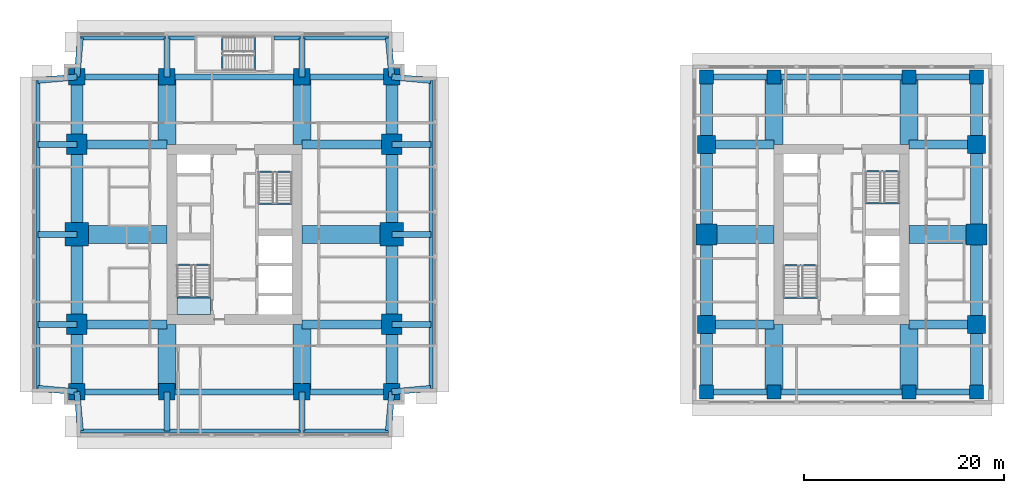
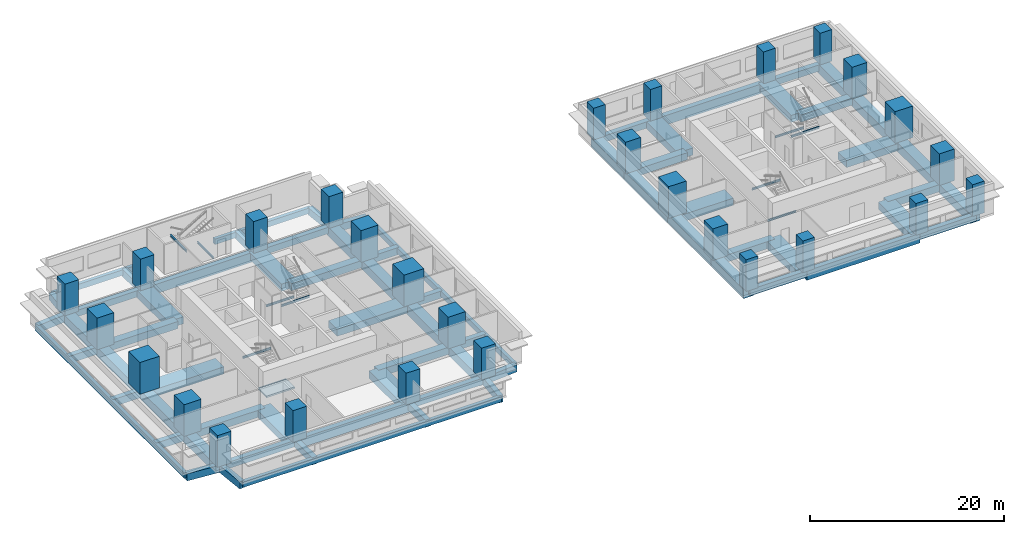
# One storey, part 1 of 11: 81 beams, 28 columns, 1 slab, 1 element without a shape of its own.
"""IFC4 building model written with IfcOpenShell, lengths in metres."""

from ifc_helpers import new_model, si_unit, direction, frame, origin, origin_2d, place, context, subcontext, project, spatial, polyline, rectangle, i_section, outline, extrude, material, layer, layer_set, material_profile, profile_set, type_object, element, aggregate, save


model = new_model("IFC4")

# Units and contexts
model_context = context("Model", 3, precision=1e-05, world=origin(), true_north=direction((0.0, 1.0)))
body_context = subcontext(model_context, "Body", "Model", "MODEL_VIEW")
ifc_project = project(units=[si_unit("LENGTHUNIT", "METRE"), si_unit("AREAUNIT", "SQUARE_METRE"), si_unit("VOLUMEUNIT", "CUBIC_METRE"), si_unit("PLANEANGLEUNIT", "RADIAN"), si_unit("MASSUNIT", "GRAM", prefix="KILO")], contexts=[model_context])

# Site, building, storey
site_placement = place(None, origin())
site = spatial("IfcSite", under=ifc_project, at=site_placement, CompositionType="ELEMENT")
building_placement = place(site_placement, origin())
building = spatial("IfcBuilding", under=site, at=building_placement, Name="Namib Vertical Campus", CompositionType="ELEMENT")
storey_placement = place(building_placement, frame((0.0, 0.0, 185.0)))
storey = spatial("IfcBuildingStorey", under=building, at=storey_placement, Name="L43", CompositionType="ELEMENT", Elevation=185.0)

# Columns
ifc_material_1 = material(Name="Concrete C60/75", Category="concrete")
ifc_material_profile_1 = material_profile(ifc_material_1, rectangle(XDim=1.39990234375, YDim=1.39990234375, at=origin_2d()))
ifc_profile_set_1 = profile_set([ifc_material_profile_1], Name="Concrete C60/75")
column_type_1 = type_object("IfcColumnType", Name="Column RC 1400x1400", PredefinedType="COLUMN", material=ifc_profile_set_1)
for number, where, z_axis, x_axis, name in (
    (1, (67.5, 4.5, 0.0), (0.0, 0.0, 1.0), (1.0, 0.0, 0.0), "Column C140 L43"),
    (2, (74.25, 4.5, 0.0), (0.0, 0.0, 1.0), (1.0, 0.0, 0.0), "Column C140 L43"),
    (3, (87.75, 4.5, 0.0), (0.0, 0.0, 1.0), (1.0, 0.0, 0.0), "Column C140 L43"),
    (4, (94.5, 4.5, 0.0), (0.0, 0.0, 1.0), (1.0, 0.0, 0.0), "Column C140 L43"),
    (5, (67.5, 36.0, 0.0), (0.0, 0.0, 1.0), (1.0, 0.0, 0.0), "Column C140 L43"),
    (6, (74.25, 36.0, 0.0), (0.0, 0.0, 1.0), (1.0, 0.0, 0.0), "Column C140 L43"),
    (7, (87.75, 36.0, 0.0), (0.0, 0.0, 1.0), (1.0, 0.0, 0.0), "Column C140 L43"),
    (8, (94.5, 36.0, 0.0), (0.0, 0.0, 1.0), (1.0, 0.0, 0.0), "Column C140 L43"),
):
    element("IfcColumn", number, at=place(storey_placement, frame(where, z_axis=z_axis, x_axis=x_axis)), inside=storey, type_object=column_type_1, Name=name, PredefinedType="COLUMN", context=body_context, shape_type="SweptSolid", body=[
        extrude(rectangle(XDim=1.39990234375, YDim=1.39990234375, at=origin_2d()), origin(), (0.0, 0.0, 1.0), 4.0),
    ])
ifc_material_2 = material(Name="Concrete C60/75", Category="concrete")
ifc_material_profile_2 = material_profile(ifc_material_2, rectangle(XDim=1.64990234375, YDim=1.64990234375, at=origin_2d()))
ifc_profile_set_2 = profile_set([ifc_material_profile_2], Name="Concrete C60/75")
column_type_2 = type_object("IfcColumnType", Name="Column RC 1650x1650", PredefinedType="COLUMN", material=ifc_profile_set_2)
for number, where, z_axis, x_axis, name in (
    (9, (4.5, 4.5, 0.0), (0.0, 0.0, 1.0), (1.0, 0.0, 0.0), "Column C165 L43"),
    (10, (13.5, 4.5, 0.0), (0.0, 0.0, 1.0), (1.0, 0.0, 0.0), "Column C165 L43"),
    (11, (27.0, 4.5, 0.0), (0.0, 0.0, 1.0), (1.0, 0.0, 0.0), "Column C165 L43"),
    (12, (36.0, 4.5, 0.0), (0.0, 0.0, 1.0), (1.0, 0.0, 0.0), "Column C165 L43"),
    (13, (4.5, 36.0, 0.0), (0.0, 0.0, 1.0), (1.0, 0.0, 0.0), "Column C165 L43"),
    (14, (13.5, 36.0, 0.0), (0.0, 0.0, 1.0), (1.0, 0.0, 0.0), "Column C165 L43"),
    (15, (27.0, 36.0, 0.0), (0.0, 0.0, 1.0), (1.0, 0.0, 0.0), "Column C165 L43"),
    (16, (36.0, 36.0, 0.0), (0.0, 0.0, 1.0), (1.0, 0.0, 0.0), "Column C165 L43"),
):
    element("IfcColumn", number, at=place(storey_placement, frame(where, z_axis=z_axis, x_axis=x_axis)), inside=storey, type_object=column_type_2, Name=name, PredefinedType="COLUMN", context=body_context, shape_type="SweptSolid", body=[
        extrude(rectangle(XDim=1.64990234375, YDim=1.64990234375, at=origin_2d()), origin(), (0.0, 0.0, 1.0), 4.0),
    ])
ifc_material_3 = material(Name="Concrete C60/75", Category="concrete")
ifc_material_profile_3 = material_profile(ifc_material_3, rectangle(XDim=1.800048828125, YDim=1.800048828125, at=origin_2d()))
ifc_profile_set_3 = profile_set([ifc_material_profile_3], Name="Concrete C60/75")
column_type_3 = type_object("IfcColumnType", Name="Column RC 1800x1800", PredefinedType="COLUMN", material=ifc_profile_set_3)
for number, where, z_axis, x_axis, name in (
    (17, (67.5, 11.25, 0.0), (0.0, 0.0, 1.0), (1.0, 0.0, 0.0), "Column C180 L43"),
    (18, (94.5, 11.25, 0.0), (0.0, 0.0, 1.0), (1.0, 0.0, 0.0), "Column C180 L43"),
    (19, (67.5, 29.25, 0.0), (0.0, 0.0, 1.0), (1.0, 0.0, 0.0), "Column C180 L43"),
    (20, (94.5, 29.25, 0.0), (0.0, 0.0, 1.0), (1.0, 0.0, 0.0), "Column C180 L43"),
):
    element("IfcColumn", number, at=place(storey_placement, frame(where, z_axis=z_axis, x_axis=x_axis)), inside=storey, type_object=column_type_3, Name=name, PredefinedType="COLUMN", context=body_context, shape_type="SweptSolid", body=[
        extrude(rectangle(XDim=1.800048828125, YDim=1.800048828125, at=origin_2d()), origin(), (0.0, 0.0, 1.0), 4.0),
    ])
ifc_material_4 = material(Name="Concrete C60/75", Category="concrete")
ifc_material_profile_4 = material_profile(ifc_material_4, rectangle(XDim=2.050048828125, YDim=2.050048828125, at=origin_2d()))
ifc_profile_set_4 = profile_set([ifc_material_profile_4], Name="Concrete C60/75")
column_type_4 = type_object("IfcColumnType", Name="Column RC 2050x2050", PredefinedType="COLUMN", material=ifc_profile_set_4)
for number, where, z_axis, x_axis, name in (
    (21, (4.5, 11.25, 0.0), (0.0, 0.0, 1.0), (1.0, 0.0, 0.0), "Column C205 L43"),
    (22, (36.0, 11.25, 0.0), (0.0, 0.0, 1.0), (1.0, 0.0, 0.0), "Column C205 L43"),
    (23, (4.5, 29.25, 0.0), (0.0, 0.0, 1.0), (1.0, 0.0, 0.0), "Column C205 L43"),
    (24, (36.0, 29.25, 0.0), (0.0, 0.0, 1.0), (1.0, 0.0, 0.0), "Column C205 L43"),
):
    element("IfcColumn", number, at=place(storey_placement, frame(where, z_axis=z_axis, x_axis=x_axis)), inside=storey, type_object=column_type_4, Name=name, PredefinedType="COLUMN", context=body_context, shape_type="SweptSolid", body=[
        extrude(rectangle(XDim=2.050048828125, YDim=2.050048828125, at=origin_2d()), origin(), (0.0, 0.0, 1.0), 4.0),
    ])
ifc_material_5 = material(Name="Concrete C60/75", Category="concrete")
ifc_material_profile_5 = material_profile(ifc_material_5, rectangle(XDim=2.10009765625, YDim=2.10009765625, at=origin_2d()))
ifc_profile_set_5 = profile_set([ifc_material_profile_5], Name="Concrete C60/75")
column_type_5 = type_object("IfcColumnType", Name="Column RC 2100x2100", PredefinedType="COLUMN", material=ifc_profile_set_5)
for number, where, z_axis, x_axis, name in (
    (25, (67.5, 20.25, 0.0), (0.0, 0.0, 1.0), (1.0, 0.0, 0.0), "Column C210 L43"),
    (26, (94.5, 20.25, 0.0), (0.0, 0.0, 1.0), (1.0, 0.0, 0.0), "Column C210 L43"),
):
    element("IfcColumn", number, at=place(storey_placement, frame(where, z_axis=z_axis, x_axis=x_axis)), inside=storey, type_object=column_type_5, Name=name, PredefinedType="COLUMN", context=body_context, shape_type="SweptSolid", body=[
        extrude(rectangle(XDim=2.10009765625, YDim=2.10009765625, at=origin_2d()), origin(), (0.0, 0.0, 1.0), 4.0),
    ])
ifc_material_6 = material(Name="Concrete C60/75", Category="concrete")
ifc_material_profile_6 = material_profile(ifc_material_6, rectangle(XDim=2.35009765625, YDim=2.35009765625, at=origin_2d()))
ifc_profile_set_6 = profile_set([ifc_material_profile_6], Name="Concrete C60/75")
column_type_6 = type_object("IfcColumnType", Name="Column RC 2350x2350", PredefinedType="COLUMN", material=ifc_profile_set_6)
for number, where, z_axis, x_axis, name in (
    (27, (4.5, 20.25, 0.0), (0.0, 0.0, 1.0), (1.0, 0.0, 0.0), "Column C235 L43"),
    (28, (36.0, 20.25, 0.0), (0.0, 0.0, 1.0), (1.0, 0.0, 0.0), "Column C235 L43"),
):
    element("IfcColumn", number, at=place(storey_placement, frame(where, z_axis=z_axis, x_axis=x_axis)), inside=storey, type_object=column_type_6, Name=name, PredefinedType="COLUMN", context=body_context, shape_type="SweptSolid", body=[
        extrude(rectangle(XDim=2.35009765625, YDim=2.35009765625, at=origin_2d()), origin(), (0.0, 0.0, 1.0), 4.0),
    ])

# Beams
ifc_material_7 = material(Name="Concrete C40/50", Category="concrete")
ifc_material_profile_7 = material_profile(ifc_material_7, rectangle(XDim=0.60009765625, YDim=0.89990234375, at=origin_2d()))
ifc_profile_set_7 = profile_set([ifc_material_profile_7], Name="Concrete C40/50")
beam_type_1 = type_object("IfcBeamType", Name="Cantilever girder RC 600x900", PredefinedType="BEAM", material=ifc_profile_set_7)
beam_1_placement = place(storey_placement, frame((4.5, 4.5, -0.699951171875), z_axis=(0.089411326146, -0.995994786511, 0.0), x_axis=(0.995994786511, 0.089411326146, 0.0)))
element("IfcBeam", 29, at=beam_1_placement, inside=storey, type_object=beam_type_1, Name="Beam B3 L43", PredefinedType="BEAM", context=body_context, shape_type="SweptSolid", body=[
    extrude(rectangle(XDim=0.60009765625, YDim=0.89990234375, at=origin_2d()), origin(), (0.0, 0.0, 1.0), 3.91552734375),
])
for number, where, z_axis, x_axis, name in (
    (30, (13.5, 4.5, -0.699951171875), (0.0, -1.0, 0.0), (1.0, 0.0, 0.0), "Beam B3 L43"),
    (31, (27.0, 4.5, -0.699951171875), (0.0, -1.0, 0.0), (1.0, 0.0, 0.0), "Beam B3 L43"),
):
    element("IfcBeam", number, at=place(storey_placement, frame(where, z_axis=z_axis, x_axis=x_axis)), inside=storey, type_object=beam_type_1, Name=name, PredefinedType="BEAM", context=body_context, shape_type="SweptSolid", body=[
        extrude(rectangle(XDim=0.60009765625, YDim=0.89990234375, at=origin_2d()), origin(), (0.0, 0.0, 1.0), 3.89990234375),
    ])
for number, where, z_axis, x_axis, name in (
    (32, (36.0, 4.5, -0.699951171875), (-0.089411326146, -0.995994786511, 0.0), (0.995994786511, -0.089411326146, 0.0), "Beam B3 L43"),
    (33, (4.5, 36.0, -0.699951171875), (0.089411326146, 0.995994786511, 0.0), (-0.995994786511, 0.089411326146, 0.0), "Beam B3 L43"),
):
    element("IfcBeam", number, at=place(storey_placement, frame(where, z_axis=z_axis, x_axis=x_axis)), inside=storey, type_object=beam_type_1, Name=name, PredefinedType="BEAM", context=body_context, shape_type="SweptSolid", body=[
        extrude(rectangle(XDim=0.60009765625, YDim=0.89990234375, at=origin_2d()), origin(), (0.0, 0.0, 1.0), 3.91552734375),
    ])
for number, where, z_axis, x_axis, name in (
    (34, (13.5, 36.0, -0.699951171875), (0.0, 1.0, 0.0), (-1.0, 0.0, 0.0), "Beam B3 L43"),
    (35, (27.0, 36.0, -0.699951171875), (0.0, 1.0, 0.0), (-1.0, 0.0, 0.0), "Beam B3 L43"),
):
    element("IfcBeam", number, at=place(storey_placement, frame(where, z_axis=z_axis, x_axis=x_axis)), inside=storey, type_object=beam_type_1, Name=name, PredefinedType="BEAM", context=body_context, shape_type="SweptSolid", body=[
        extrude(rectangle(XDim=0.60009765625, YDim=0.89990234375, at=origin_2d()), origin(), (0.0, 0.0, 1.0), 3.89990234375),
    ])
for number, where, z_axis, x_axis, name in (
    (36, (36.0, 36.0, -0.699951171875), (-0.089411326146, 0.995994786511, 0.0), (-0.995994786511, -0.089411326146, 0.0), "Beam B3 L43"),
    (37, (4.5, 4.5, -0.699951171875), (-0.995994786511, 0.089411326146, 0.0), (-0.089411326146, -0.995994786511, 0.0), "Beam B3 L43"),
):
    element("IfcBeam", number, at=place(storey_placement, frame(where, z_axis=z_axis, x_axis=x_axis)), inside=storey, type_object=beam_type_1, Name=name, PredefinedType="BEAM", context=body_context, shape_type="SweptSolid", body=[
        extrude(rectangle(XDim=0.60009765625, YDim=0.89990234375, at=origin_2d()), origin(), (0.0, 0.0, 1.0), 3.91552734375),
    ])
for number, where, z_axis, x_axis, name in (
    (38, (4.5, 11.25, -0.699951171875), (-1.0, 0.0, 0.0), (0.0, -1.0, 0.0), "Beam B3 L43"),
    (39, (4.5, 20.25, -0.699951171875), (-1.0, 0.0, 0.0), (0.0, -1.0, 0.0), "Beam B3 L43"),
    (40, (4.5, 29.25, -0.699951171875), (-1.0, 0.0, 0.0), (0.0, -1.0, 0.0), "Beam B3 L43"),
):
    element("IfcBeam", number, at=place(storey_placement, frame(where, z_axis=z_axis, x_axis=x_axis)), inside=storey, type_object=beam_type_1, Name=name, PredefinedType="BEAM", context=body_context, shape_type="SweptSolid", body=[
        extrude(rectangle(XDim=0.60009765625, YDim=0.89990234375, at=origin_2d()), origin(), (0.0, 0.0, 1.0), 3.89990234375),
    ])
for number, where, z_axis, x_axis, name in (
    (41, (4.5, 36.0, -0.699951171875), (-0.995994786511, -0.089411326146, 0.0), (0.089411326146, -0.995994786511, 0.0), "Beam B3 L43"),
    (42, (36.0, 4.5, -0.699951171875), (0.995994786511, 0.089411326146, 0.0), (-0.089411326146, 0.995994786511, 0.0), "Beam B3 L43"),
):
    element("IfcBeam", number, at=place(storey_placement, frame(where, z_axis=z_axis, x_axis=x_axis)), inside=storey, type_object=beam_type_1, Name=name, PredefinedType="BEAM", context=body_context, shape_type="SweptSolid", body=[
        extrude(rectangle(XDim=0.60009765625, YDim=0.89990234375, at=origin_2d()), origin(), (0.0, 0.0, 1.0), 3.91552734375),
    ])
for number, where, z_axis, x_axis, name in (
    (43, (36.0, 11.25, -0.699951171875), (1.0, 0.0, 0.0), (0.0, 1.0, 0.0), "Beam B3 L43"),
    (44, (36.0, 20.25, -0.699951171875), (1.0, 0.0, 0.0), (0.0, 1.0, 0.0), "Beam B3 L43"),
    (45, (36.0, 29.25, -0.699951171875), (1.0, 0.0, 0.0), (0.0, 1.0, 0.0), "Beam B3 L43"),
):
    element("IfcBeam", number, at=place(storey_placement, frame(where, z_axis=z_axis, x_axis=x_axis)), inside=storey, type_object=beam_type_1, Name=name, PredefinedType="BEAM", context=body_context, shape_type="SweptSolid", body=[
        extrude(rectangle(XDim=0.60009765625, YDim=0.89990234375, at=origin_2d()), origin(), (0.0, 0.0, 1.0), 3.89990234375),
    ])
beam_2_placement = place(storey_placement, frame((36.0, 36.0, -0.699951171875), z_axis=(0.995994786511, -0.089411326146, 0.0), x_axis=(0.089411326146, 0.995994786511, 0.0)))
element("IfcBeam", 46, at=beam_2_placement, inside=storey, type_object=beam_type_1, Name="Beam B3 L43", PredefinedType="BEAM", context=body_context, shape_type="SweptSolid", body=[
    extrude(rectangle(XDim=0.60009765625, YDim=0.89990234375, at=origin_2d()), origin(), (0.0, 0.0, 1.0), 3.91552734375),
])
ifc_material_8 = material(Name="Concrete C40/50", Category="concrete")
ifc_material_profile_8 = material_profile(ifc_material_8, rectangle(XDim=0.39990234375, YDim=0.699951171875, at=origin_2d()))
ifc_profile_set_8 = profile_set([ifc_material_profile_8], Name="Concrete C40/50")
beam_type_2 = type_object("IfcBeamType", Name="Edge beam RC 400x700", PredefinedType="SPANDREL", material=ifc_profile_set_8)
beam_3_placement = place(storey_placement, frame((4.85009765625, 0.60009765625, -0.60009765625), z_axis=(1.0, 0.0, 0.0), x_axis=(0.0, 1.0, 0.0)))
element("IfcBeam", 47, at=beam_3_placement, inside=storey, type_object=beam_type_2, Name="Beam B4 L43", PredefinedType="SPANDREL", context=body_context, shape_type="SweptSolid", body=[
    extrude(rectangle(XDim=0.39990234375, YDim=0.699951171875, at=origin_2d()), origin(), (0.0, 0.0, 1.0), 30.7998046875),
])
for number, where, z_axis, x_axis, name in (
    (48, (4.85009765625, 39.89990234375, -0.60009765625), (1.0, 0.0, 0.0), (0.0, 1.0, 0.0), "Beam B4 L43"),
    (49, (24.199951171875, 39.89990234375, -0.60009765625), (1.0, 0.0, 0.0), (0.0, 1.0, 0.0), "Beam B4 L43"),
):
    element("IfcBeam", number, at=place(storey_placement, frame(where, z_axis=z_axis, x_axis=x_axis)), inside=storey, type_object=beam_type_2, Name=name, PredefinedType="SPANDREL", context=body_context, shape_type="SweptSolid", body=[
        extrude(rectangle(XDim=0.39990234375, YDim=0.699951171875, at=origin_2d()), origin(), (0.0, 0.0, 1.0), 11.449951171875),
    ])
for number, where, z_axis, x_axis, name in (
    (50, (0.60009765625, 4.85009765625, -0.60009765625), (0.0, 1.0, 0.0), (-1.0, 0.0, 0.0), "Beam B4 L43"),
    (51, (39.89990234375, 4.85009765625, -0.60009765625), (0.0, 1.0, 0.0), (-1.0, 0.0, 0.0), "Beam B4 L43"),
):
    element("IfcBeam", number, at=place(storey_placement, frame(where, z_axis=z_axis, x_axis=x_axis)), inside=storey, type_object=beam_type_2, Name=name, PredefinedType="SPANDREL", context=body_context, shape_type="SweptSolid", body=[
        extrude(rectangle(XDim=0.39990234375, YDim=0.699951171875, at=origin_2d()), origin(), (0.0, 0.0, 1.0), 30.7998046875),
    ])
ifc_material_9 = material(Name="Concrete C40/50", Category="concrete")
ifc_material_profile_9 = material_profile(ifc_material_9, rectangle(XDim=0.89990234375, YDim=0.89990234375, at=origin_2d()))
ifc_profile_set_9 = profile_set([ifc_material_profile_9], Name="Concrete C40/50")
beam_type_3 = type_object("IfcBeamType", Name="Face girder RC 900x900", PredefinedType="BEAM", material=ifc_profile_set_9)
for number, where, z_axis, x_axis, name in (
    (52, (4.5, 11.25, -0.699951171875), (1.0, 0.0, 0.0), (0.0, 1.0, 0.0), "Beam B10 L43"),
    (53, (36.0, 11.25, -0.699951171875), (-1.0, 0.0, 0.0), (0.0, -1.0, 0.0), "Beam B10 L43"),
    (54, (4.5, 29.25, -0.699951171875), (1.0, 0.0, 0.0), (0.0, 1.0, 0.0), "Beam B10 L43"),
    (55, (36.0, 29.25, -0.699951171875), (-1.0, 0.0, 0.0), (0.0, -1.0, 0.0), "Beam B10 L43"),
):
    element("IfcBeam", number, at=place(storey_placement, frame(where, z_axis=z_axis, x_axis=x_axis)), inside=storey, type_object=beam_type_3, Name=name, PredefinedType="BEAM", context=body_context, shape_type="SweptSolid", body=[
        extrude(rectangle(XDim=0.89990234375, YDim=0.89990234375, at=origin_2d()), origin(), (0.0, 0.0, 1.0), 9.0),
    ])
for number, where, z_axis, x_axis, name in (
    (56, (67.5, 11.25, -0.699951171875), (1.0, 0.0, 0.0), (0.0, 1.0, 0.0), "Beam B10 L43"),
    (57, (94.5, 11.25, -0.699951171875), (-1.0, 0.0, 0.0), (0.0, -1.0, 0.0), "Beam B10 L43"),
    (58, (67.5, 29.25, -0.699951171875), (1.0, 0.0, 0.0), (0.0, 1.0, 0.0), "Beam B10 L43"),
    (59, (94.5, 29.25, -0.699951171875), (-1.0, 0.0, 0.0), (0.0, -1.0, 0.0), "Beam B10 L43"),
):
    element("IfcBeam", number, at=place(storey_placement, frame(where, z_axis=z_axis, x_axis=x_axis)), inside=storey, type_object=beam_type_3, Name=name, PredefinedType="BEAM", context=body_context, shape_type="SweptSolid", body=[
        extrude(rectangle(XDim=0.89990234375, YDim=0.89990234375, at=origin_2d()), origin(), (0.0, 0.0, 1.0), 6.75),
    ])
ifc_material_10 = material(Name="Concrete C40/50", Category="concrete")
ifc_material_profile_10 = material_profile(ifc_material_10, rectangle(XDim=1.199951171875, YDim=1.10009765625, at=origin_2d()))
ifc_profile_set_10 = profile_set([ifc_material_profile_10], Name="Concrete C40/50")
beam_type_4 = type_object("IfcBeamType", Name="Face ring beam RC 1200x1100", PredefinedType="BEAM", material=ifc_profile_set_10)
beam_4_placement = place(storey_placement, frame((4.5, 4.5, -0.800048828125), z_axis=(0.0, 1.0, 0.0), x_axis=(-1.0, 0.0, 0.0)))
element("IfcBeam", 60, at=beam_4_placement, inside=storey, type_object=beam_type_4, Name="Beam B11 L43", PredefinedType="BEAM", context=body_context, shape_type="SweptSolid", body=[
    extrude(rectangle(XDim=1.199951171875, YDim=1.10009765625, at=origin_2d()), origin(), (0.0, 0.0, 1.0), 6.75),
])
for number, where, z_axis, x_axis, name in (
    (61, (4.5, 11.25, -0.800048828125), (0.0, 1.0, 0.0), (-1.0, 0.0, 0.0), "Beam B11 L43"),
    (62, (4.5, 20.25, -0.800048828125), (0.0, 1.0, 0.0), (-1.0, 0.0, 0.0), "Beam B11 L43"),
):
    element("IfcBeam", number, at=place(storey_placement, frame(where, z_axis=z_axis, x_axis=x_axis)), inside=storey, type_object=beam_type_4, Name=name, PredefinedType="BEAM", context=body_context, shape_type="SweptSolid", body=[
        extrude(rectangle(XDim=1.199951171875, YDim=1.10009765625, at=origin_2d()), origin(), (0.0, 0.0, 1.0), 9.0),
    ])
for number, where, z_axis, x_axis, name in (
    (63, (4.5, 29.25, -0.800048828125), (0.0, 1.0, 0.0), (-1.0, 0.0, 0.0), "Beam B11 L43"),
    (64, (36.0, 4.5, -0.800048828125), (0.0, 1.0, 0.0), (-1.0, 0.0, 0.0), "Beam B11 L43"),
):
    element("IfcBeam", number, at=place(storey_placement, frame(where, z_axis=z_axis, x_axis=x_axis)), inside=storey, type_object=beam_type_4, Name=name, PredefinedType="BEAM", context=body_context, shape_type="SweptSolid", body=[
        extrude(rectangle(XDim=1.199951171875, YDim=1.10009765625, at=origin_2d()), origin(), (0.0, 0.0, 1.0), 6.75),
    ])
for number, where, z_axis, x_axis, name in (
    (65, (36.0, 11.25, -0.800048828125), (0.0, 1.0, 0.0), (-1.0, 0.0, 0.0), "Beam B11 L43"),
    (66, (36.0, 20.25, -0.800048828125), (0.0, 1.0, 0.0), (-1.0, 0.0, 0.0), "Beam B11 L43"),
):
    element("IfcBeam", number, at=place(storey_placement, frame(where, z_axis=z_axis, x_axis=x_axis)), inside=storey, type_object=beam_type_4, Name=name, PredefinedType="BEAM", context=body_context, shape_type="SweptSolid", body=[
        extrude(rectangle(XDim=1.199951171875, YDim=1.10009765625, at=origin_2d()), origin(), (0.0, 0.0, 1.0), 9.0),
    ])
for number, where, z_axis, x_axis, name in (
    (67, (36.0, 29.25, -0.800048828125), (0.0, 1.0, 0.0), (-1.0, 0.0, 0.0), "Beam B11 L43"),
    (68, (67.5, 4.5, -0.800048828125), (0.0, 1.0, 0.0), (-1.0, 0.0, 0.0), "Beam B11 L43"),
):
    element("IfcBeam", number, at=place(storey_placement, frame(where, z_axis=z_axis, x_axis=x_axis)), inside=storey, type_object=beam_type_4, Name=name, PredefinedType="BEAM", context=body_context, shape_type="SweptSolid", body=[
        extrude(rectangle(XDim=1.199951171875, YDim=1.10009765625, at=origin_2d()), origin(), (0.0, 0.0, 1.0), 6.75),
    ])
for number, where, z_axis, x_axis, name in (
    (69, (67.5, 11.25, -0.800048828125), (0.0, 1.0, 0.0), (-1.0, 0.0, 0.0), "Beam B11 L43"),
    (70, (67.5, 20.25, -0.800048828125), (0.0, 1.0, 0.0), (-1.0, 0.0, 0.0), "Beam B11 L43"),
):
    element("IfcBeam", number, at=place(storey_placement, frame(where, z_axis=z_axis, x_axis=x_axis)), inside=storey, type_object=beam_type_4, Name=name, PredefinedType="BEAM", context=body_context, shape_type="SweptSolid", body=[
        extrude(rectangle(XDim=1.199951171875, YDim=1.10009765625, at=origin_2d()), origin(), (0.0, 0.0, 1.0), 9.0),
    ])
for number, where, z_axis, x_axis, name in (
    (71, (67.5, 29.25, -0.800048828125), (0.0, 1.0, 0.0), (-1.0, 0.0, 0.0), "Beam B11 L43"),
    (72, (94.5, 4.5, -0.800048828125), (0.0, 1.0, 0.0), (-1.0, 0.0, 0.0), "Beam B11 L43"),
):
    element("IfcBeam", number, at=place(storey_placement, frame(where, z_axis=z_axis, x_axis=x_axis)), inside=storey, type_object=beam_type_4, Name=name, PredefinedType="BEAM", context=body_context, shape_type="SweptSolid", body=[
        extrude(rectangle(XDim=1.199951171875, YDim=1.10009765625, at=origin_2d()), origin(), (0.0, 0.0, 1.0), 6.75),
    ])
for number, where, z_axis, x_axis, name in (
    (73, (94.5, 11.25, -0.800048828125), (0.0, 1.0, 0.0), (-1.0, 0.0, 0.0), "Beam B11 L43"),
    (74, (94.5, 20.25, -0.800048828125), (0.0, 1.0, 0.0), (-1.0, 0.0, 0.0), "Beam B11 L43"),
):
    element("IfcBeam", number, at=place(storey_placement, frame(where, z_axis=z_axis, x_axis=x_axis)), inside=storey, type_object=beam_type_4, Name=name, PredefinedType="BEAM", context=body_context, shape_type="SweptSolid", body=[
        extrude(rectangle(XDim=1.199951171875, YDim=1.10009765625, at=origin_2d()), origin(), (0.0, 0.0, 1.0), 9.0),
    ])
beam_5_placement = place(storey_placement, frame((94.5, 29.25, -0.800048828125), z_axis=(0.0, 1.0, 0.0), x_axis=(-1.0, 0.0, 0.0)))
element("IfcBeam", 75, at=beam_5_placement, inside=storey, type_object=beam_type_4, Name="Beam B11 L43", PredefinedType="BEAM", context=body_context, shape_type="SweptSolid", body=[
    extrude(rectangle(XDim=1.199951171875, YDim=1.10009765625, at=origin_2d()), origin(), (0.0, 0.0, 1.0), 6.75),
])
ifc_material_11 = material(Name="Steel S355JR", Category="steel")
ifc_material_profile_11 = material_profile(ifc_material_11, i_section(OverallWidth=0.14599609375, OverallDepth=0.25146484375, WebThickness=0.006103515625, FlangeThickness=0.008544921875, FilletRadius=0.007568359375, at=origin_2d()))
ifc_profile_set_11 = profile_set([ifc_material_profile_11], Name="Steel S355JR")
beam_type_5 = type_object("IfcBeamType", Name="Landing trimmer UB 254x146x31", PredefinedType="BEAM", material=ifc_profile_set_11)
for number, where, z_axis, x_axis, name in (
    (76, (14.5, 13.97705078125, -0.125732421875), (1.0, 0.0, 0.0), (0.0, 1.0, 0.0), "Landing trimmer LT1 A-S1 L43 1"),
    (77, (14.5, 17.203125, 1.874267578125), (1.0, 0.0, 0.0), (0.0, 1.0, 0.0), "Landing trimmer LT1 A-S1 L43 2"),
    (78, (22.64990234375, 26.52294921875, -0.125732421875), (1.0, 0.0, 0.0), (0.0, 1.0, 0.0), "Landing trimmer LT1 A-S2 L43 1"),
    (79, (22.64990234375, 23.296875, 1.874267578125), (1.0, 0.0, 0.0), (0.0, 1.0, 0.0), "Landing trimmer LT1 A-S2 L43 2"),
):
    element("IfcBeam", number, at=place(storey_placement, frame(where, z_axis=z_axis, x_axis=x_axis)), inside=storey, type_object=beam_type_5, Name=name, PredefinedType="BEAM", context=body_context, shape_type="SweptSolid", body=[
        extrude(i_section(OverallWidth=0.14599609375, OverallDepth=0.25146484375, WebThickness=0.006103515625, FlangeThickness=0.008544921875, FilletRadius=0.007568359375, at=origin_2d()), origin(), (0.0, 0.0, 1.0), 3.35009765625),
    ])
for number, where, z_axis, x_axis, name in (
    (80, (75.199951171875, 13.927001953125, -0.125732421875), (1.0, 0.0, 0.0), (0.0, 1.0, 0.0), "Landing trimmer LT1 B-S1 L43 1"),
    (81, (75.199951171875, 17.153076171875, 1.874267578125), (1.0, 0.0, 0.0), (0.0, 1.0, 0.0), "Landing trimmer LT1 B-S1 L43 2"),
    (82, (83.39990234375, 26.572998046875, -0.125732421875), (1.0, 0.0, 0.0), (0.0, 1.0, 0.0), "Landing trimmer LT1 B-S2 L43 1"),
    (83, (83.39990234375, 23.346923828125, 1.874267578125), (1.0, 0.0, 0.0), (0.0, 1.0, 0.0), "Landing trimmer LT1 B-S2 L43 2"),
):
    element("IfcBeam", number, at=place(storey_placement, frame(where, z_axis=z_axis, x_axis=x_axis)), inside=storey, type_object=beam_type_5, Name=name, PredefinedType="BEAM", context=body_context, shape_type="SweptSolid", body=[
        extrude(i_section(OverallWidth=0.14599609375, OverallDepth=0.25146484375, WebThickness=0.006103515625, FlangeThickness=0.008544921875, FilletRadius=0.007568359375, at=origin_2d()), origin(), (0.0, 0.0, 1.0), 3.400146484375),
    ])
for number, where, z_axis, x_axis, name in (
    (84, (22.27294921875, 36.64990234375, -0.125732421875), (0.0, 1.0, 0.0), (-1.0, 0.0, 0.0), "Landing trimmer LT1 A-S3 L43 1"),
    (85, (19.046875, 36.64990234375, 1.874267578125), (0.0, 1.0, 0.0), (-1.0, 0.0, 0.0), "Landing trimmer LT1 A-S3 L43 2"),
):
    element("IfcBeam", number, at=place(storey_placement, frame(where, z_axis=z_axis, x_axis=x_axis)), inside=storey, type_object=beam_type_5, Name=name, PredefinedType="BEAM", context=body_context, shape_type="SweptSolid", body=[
        extrude(i_section(OverallWidth=0.14599609375, OverallDepth=0.25146484375, WebThickness=0.006103515625, FlangeThickness=0.008544921875, FilletRadius=0.007568359375, at=origin_2d()), origin(), (0.0, 0.0, 1.0), 3.35009765625),
    ])
ifc_material_12 = material(Name="Concrete C40/50", Category="concrete")
ifc_material_profile_12 = material_profile(ifc_material_12, rectangle(XDim=0.60009765625, YDim=1.199951171875, at=origin_2d()))
ifc_profile_set_12 = profile_set([ifc_material_profile_12], Name="Concrete C40/50")
beam_type_6 = type_object("IfcBeamType", Name="Long-span ring beam RC 600x1200", PredefinedType="BEAM", material=ifc_profile_set_12)
for number, where, z_axis, x_axis, name in (
    (86, (13.5, 4.5, -0.85009765625), (1.0, 0.0, 0.0), (0.0, 1.0, 0.0), "Beam B9 L43"),
    (87, (13.5, 36.0, -0.85009765625), (1.0, 0.0, 0.0), (0.0, 1.0, 0.0), "Beam B9 L43"),
    (88, (74.25, 4.5, -0.85009765625), (1.0, 0.0, 0.0), (0.0, 1.0, 0.0), "Beam B9 L43"),
    (89, (74.25, 36.0, -0.85009765625), (1.0, 0.0, 0.0), (0.0, 1.0, 0.0), "Beam B9 L43"),
):
    element("IfcBeam", number, at=place(storey_placement, frame(where, z_axis=z_axis, x_axis=x_axis)), inside=storey, type_object=beam_type_6, Name=name, PredefinedType="BEAM", context=body_context, shape_type="SweptSolid", body=[
        extrude(rectangle(XDim=0.60009765625, YDim=1.199951171875, at=origin_2d()), origin(), (0.0, 0.0, 1.0), 13.5),
    ])
ifc_material_13 = material(Name="Concrete C40/50", Category="concrete")
ifc_material_profile_13 = material_profile(ifc_material_13, rectangle(XDim=1.800048828125, YDim=0.89990234375, at=origin_2d()))
ifc_profile_set_13 = profile_set([ifc_material_profile_13], Name="Concrete C40/50")
beam_type_7 = type_object("IfcBeamType", Name="Outrigger line girder RC 1800x900", PredefinedType="BEAM", material=ifc_profile_set_13)
for number, where, z_axis, x_axis, name in (
    (90, (13.5, 4.5, -0.699951171875), (0.0, 1.0, 0.0), (-1.0, 0.0, 0.0), "Beam B12 L43"),
    (91, (13.5, 36.0, -0.699951171875), (0.0, -1.0, 0.0), (1.0, 0.0, 0.0), "Beam B12 L43"),
    (92, (27.0, 4.5, -0.699951171875), (0.0, 1.0, 0.0), (-1.0, 0.0, 0.0), "Beam B12 L43"),
    (93, (27.0, 36.0, -0.699951171875), (0.0, -1.0, 0.0), (1.0, 0.0, 0.0), "Beam B12 L43"),
):
    element("IfcBeam", number, at=place(storey_placement, frame(where, z_axis=z_axis, x_axis=x_axis)), inside=storey, type_object=beam_type_7, Name=name, PredefinedType="BEAM", context=body_context, shape_type="SweptSolid", body=[
        extrude(rectangle(XDim=1.800048828125, YDim=0.89990234375, at=origin_2d()), origin(), (0.0, 0.0, 1.0), 6.75),
    ])
for number, where, z_axis, x_axis, name in (
    (94, (4.5, 20.25, -0.699951171875), (1.0, 0.0, 0.0), (0.0, 1.0, 0.0), "Beam B12 L43"),
    (95, (36.0, 20.25, -0.699951171875), (-1.0, 0.0, 0.0), (0.0, -1.0, 0.0), "Beam B12 L43"),
):
    element("IfcBeam", number, at=place(storey_placement, frame(where, z_axis=z_axis, x_axis=x_axis)), inside=storey, type_object=beam_type_7, Name=name, PredefinedType="BEAM", context=body_context, shape_type="SweptSolid", body=[
        extrude(rectangle(XDim=1.800048828125, YDim=0.89990234375, at=origin_2d()), origin(), (0.0, 0.0, 1.0), 9.0),
    ])
for number, where, z_axis, x_axis, name in (
    (96, (74.25, 4.5, -0.699951171875), (0.0, 1.0, 0.0), (-1.0, 0.0, 0.0), "Beam B12 L43"),
    (97, (74.25, 36.0, -0.699951171875), (0.0, -1.0, 0.0), (1.0, 0.0, 0.0), "Beam B12 L43"),
    (98, (87.75, 4.5, -0.699951171875), (0.0, 1.0, 0.0), (-1.0, 0.0, 0.0), "Beam B12 L43"),
    (99, (87.75, 36.0, -0.699951171875), (0.0, -1.0, 0.0), (1.0, 0.0, 0.0), "Beam B12 L43"),
    (100, (67.5, 20.25, -0.699951171875), (1.0, 0.0, 0.0), (0.0, 1.0, 0.0), "Beam B12 L43"),
    (101, (94.5, 20.25, -0.699951171875), (-1.0, 0.0, 0.0), (0.0, -1.0, 0.0), "Beam B12 L43"),
):
    element("IfcBeam", number, at=place(storey_placement, frame(where, z_axis=z_axis, x_axis=x_axis)), inside=storey, type_object=beam_type_7, Name=name, PredefinedType="BEAM", context=body_context, shape_type="SweptSolid", body=[
        extrude(rectangle(XDim=1.800048828125, YDim=0.89990234375, at=origin_2d()), origin(), (0.0, 0.0, 1.0), 6.75),
    ])
ifc_material_14 = material(Name="Concrete C40/50", Category="concrete")
ifc_material_profile_14 = material_profile(ifc_material_14, rectangle(XDim=0.60009765625, YDim=0.800048828125, at=origin_2d()))
ifc_profile_set_14 = profile_set([ifc_material_profile_14], Name="Concrete C40/50")
beam_type_8 = type_object("IfcBeamType", Name="Ring beam RC 600x800", PredefinedType="BEAM", material=ifc_profile_set_14)
for number, where, z_axis, x_axis, name in (
    (102, (4.5, 4.5, -0.64990234375), (1.0, 0.0, 0.0), (0.0, 1.0, 0.0), "Beam B1 L43"),
    (103, (27.0, 4.5, -0.64990234375), (1.0, 0.0, 0.0), (0.0, 1.0, 0.0), "Beam B1 L43"),
    (104, (4.5, 36.0, -0.64990234375), (1.0, 0.0, 0.0), (0.0, 1.0, 0.0), "Beam B1 L43"),
    (105, (27.0, 36.0, -0.64990234375), (1.0, 0.0, 0.0), (0.0, 1.0, 0.0), "Beam B1 L43"),
):
    element("IfcBeam", number, at=place(storey_placement, frame(where, z_axis=z_axis, x_axis=x_axis)), inside=storey, type_object=beam_type_8, Name=name, PredefinedType="BEAM", context=body_context, shape_type="SweptSolid", body=[
        extrude(rectangle(XDim=0.60009765625, YDim=0.800048828125, at=origin_2d()), origin(), (0.0, 0.0, 1.0), 9.0),
    ])
for number, where, z_axis, x_axis, name in (
    (106, (67.5, 4.5, -0.64990234375), (1.0, 0.0, 0.0), (0.0, 1.0, 0.0), "Beam B1 L43"),
    (107, (87.75, 4.5, -0.64990234375), (1.0, 0.0, 0.0), (0.0, 1.0, 0.0), "Beam B1 L43"),
    (108, (67.5, 36.0, -0.64990234375), (1.0, 0.0, 0.0), (0.0, 1.0, 0.0), "Beam B1 L43"),
    (109, (87.75, 36.0, -0.64990234375), (1.0, 0.0, 0.0), (0.0, 1.0, 0.0), "Beam B1 L43"),
):
    element("IfcBeam", number, at=place(storey_placement, frame(where, z_axis=z_axis, x_axis=x_axis)), inside=storey, type_object=beam_type_8, Name=name, PredefinedType="BEAM", context=body_context, shape_type="SweptSolid", body=[
        extrude(rectangle(XDim=0.60009765625, YDim=0.800048828125, at=origin_2d()), origin(), (0.0, 0.0, 1.0), 6.75),
    ])

# Stair, slab
ifc_material_15 = material(Name="Concrete C40/50 precast", Category="concrete")
stair_type = type_object("IfcStairType", Name="Exit stair 4000 rise 24 risers 3350 wide", PredefinedType="HALF_TURN_STAIR", material=ifc_material_15)
stair_placement = place(storey_placement, origin())
stair = element("IfcStair", 110, at=stair_placement, inside=storey, type_object=stair_type, Name="Exit stair A-S1 L43", PredefinedType="HALF_TURN_STAIR")
ifc_material_16 = material(Name="Concrete C40/50", Category="concrete")
ifc_layer = layer(ifc_material_16, 0.199951171875)
ifc_layer_set = layer_set([ifc_layer], Name="Concrete C40/50")
slab_type = type_object("IfcSlabType", Name="Stair landing 200", PredefinedType="LANDING", material=ifc_layer_set)
slab_placement = place(storey_placement, frame((0.0, 0.0, -0.199951171875)))
slab = element("IfcSlab", 111, at=slab_placement, type_object=slab_type, Name="A-S1 landing 1", PredefinedType="LANDING", context=body_context, shape_type="SweptSolid", body=[
    extrude(outline(polyline([(14.5, 12.25), (17.85009765625, 12.25), (17.85009765625, 13.90380859375), (14.5, 13.90380859375), (14.5, 12.25)])), origin(), (0.0, 0.0, 1.0), 0.199951171875),
])
aggregate(stair, [slab])

save(model, "model.ifc")
